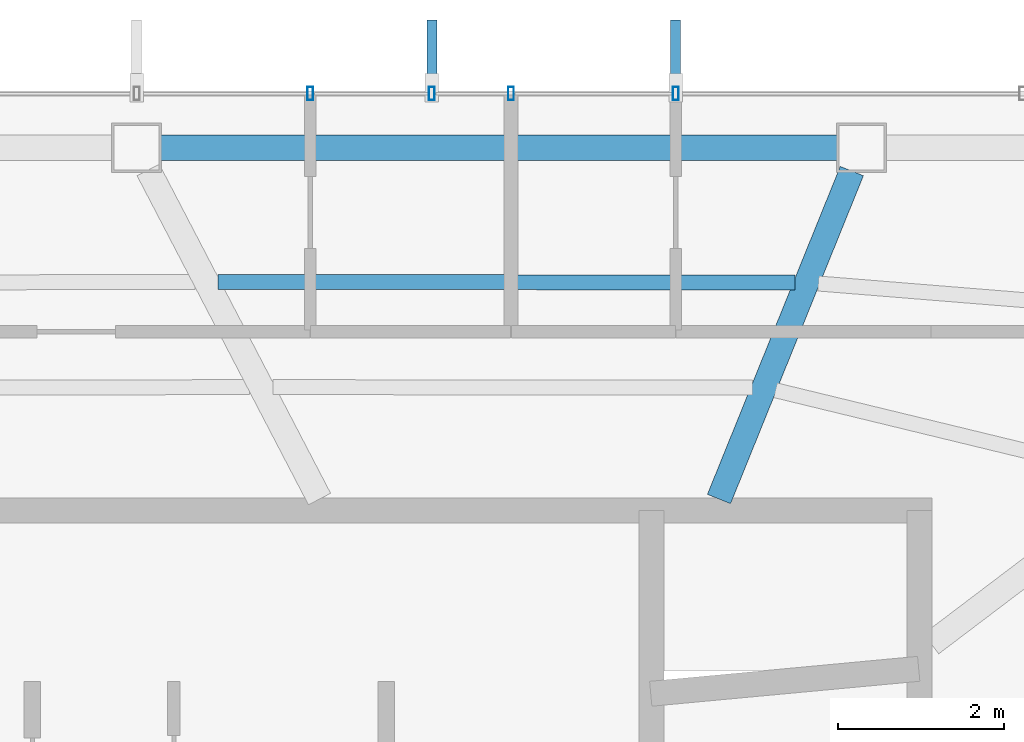
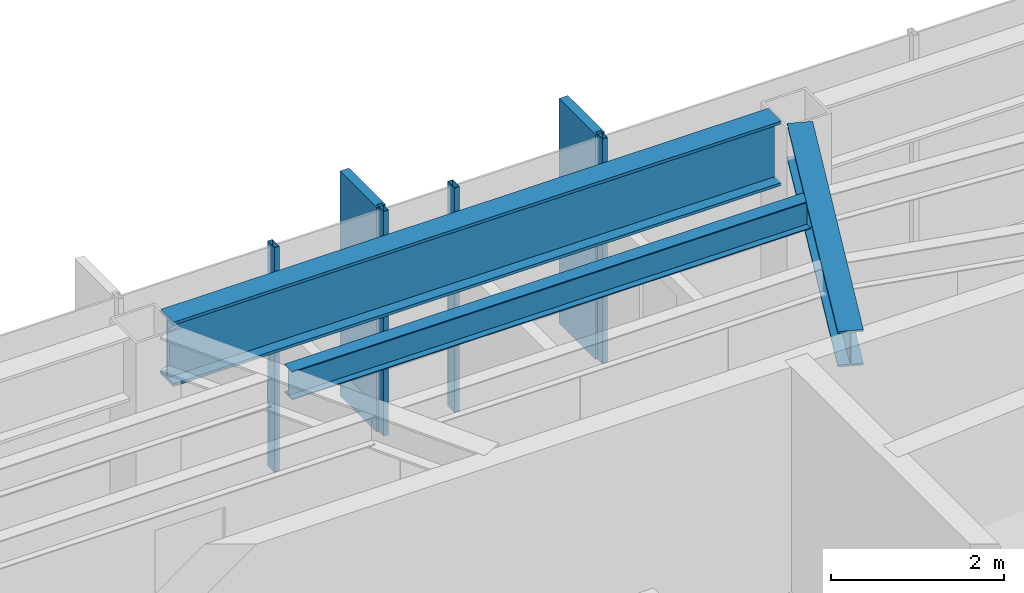
# One storey, part 13 of 25: 6 members, 3 beams, 1 element without a shape of its own.
"""IFC4 building model written with IfcOpenShell, lengths in metres."""

from ifc_helpers import new_model, si_unit, direction, frame, origin, origin_2d, place, context, subcontext, project, spatial, rectangle, hollow_rectangle, i_section, extrude, material, layer, layer_set, material_profile, profile_set, type_object, element, aggregate, save


model = new_model("IFC4")

# Units and contexts
model_context = context("Model", 3, precision=1e-05, world=origin(), true_north=direction((0.0, 1.0)))
body_context = subcontext(model_context, "Body", "Model", "MODEL_VIEW")
ifc_project = project(units=[si_unit("LENGTHUNIT", "METRE"), si_unit("AREAUNIT", "SQUARE_METRE"), si_unit("VOLUMEUNIT", "CUBIC_METRE"), si_unit("PLANEANGLEUNIT", "RADIAN"), si_unit("MASSUNIT", "GRAM", prefix="KILO")], contexts=[model_context])

# Site, building, storey
site_placement = place(None, origin())
site = spatial("IfcSite", under=ifc_project, at=site_placement, CompositionType="ELEMENT")
building_placement = place(site_placement, origin())
building = spatial("IfcBuilding", under=site, at=building_placement, Name="Zarrinselat Tower", CompositionType="ELEMENT")
storey_placement = place(building_placement, frame((0.0, 0.0, 212.159912109375)))
storey = spatial("IfcBuildingStorey", under=building, at=storey_placement, Name="L52", CompositionType="ELEMENT", Elevation=212.159912109375)

# Beams
ifc_material_1 = material(Name="Steel S355J2", Category="steel")
ifc_material_profile_1 = material_profile(ifc_material_1, i_section(OverallWidth=0.300048828125, OverallDepth=0.5, WebThickness=0.014404296875, FlangeThickness=0.028076171875, at=origin_2d()), Name="HEB 500")
ifc_profile_set_1 = profile_set([ifc_material_profile_1], Name="Steel S355J2")
beam_type_1 = type_object("IfcBeamType", Name="BM-HEB500", PredefinedType="BEAM", material=ifc_profile_set_1)
beam_1_placement = place(storey_placement, frame((45.800048828125, 43.5400390625, 2.93017578125), z_axis=(0.375485204643, 0.926828388157, 0.0), x_axis=(-0.926828388157, 0.375485204643, 0.0)))
element("IfcBeam", 1, at=beam_1_placement, inside=storey, type_object=beam_type_1, Name="L52 Radial Primary Girder RG02", PredefinedType="BEAM", context=body_context, shape_type="SweptSolid", body=[
    extrude(i_section(OverallWidth=0.300048828125, OverallDepth=0.5, WebThickness=0.014404296875, FlangeThickness=0.028076171875, at=origin_2d()), origin(), (0.0, 0.0, 1.0), 4.252197265625),
])
ifc_material_2 = material(Name="Steel S460M", Category="steel")
ifc_material_profile_2 = material_profile(ifc_material_2, i_section(OverallWidth=0.302001953125, OverallDepth=0.909912109375, WebThickness=0.02099609375, FlangeThickness=0.0400390625, at=origin_2d()), Name="HEM 900")
ifc_profile_set_2 = profile_set([ifc_material_profile_2], Name="Steel S460M")
beam_type_2 = type_object("IfcBeamType", Name="BM-HEM900", PredefinedType="BEAM", material=ifc_profile_set_2)
beam_2_placement = place(storey_placement, frame((39.090087890625, 47.760986328125, 2.72509765625), z_axis=(1.0, 0.0, 0.0), x_axis=(0.0, 1.0, 0.0)))
element("IfcBeam", 2, at=beam_2_placement, inside=storey, type_object=beam_type_2, Name="L52 Perimeter Spandrel Girder SP02", PredefinedType="BEAM", context=body_context, shape_type="SweptSolid", body=[
    extrude(i_section(OverallWidth=0.302001953125, OverallDepth=0.909912109375, WebThickness=0.02099609375, FlangeThickness=0.0400390625, at=origin_2d()), origin(), (0.0, 0.0, 1.0), 8.132080078125),
])
ifc_material_3 = material(Name="Steel S355J2", Category="steel")
ifc_material_profile_3 = material_profile(ifc_material_3, i_section(OverallWidth=0.179931640625, OverallDepth=0.39990234375, WebThickness=0.008544921875, FlangeThickness=0.013427734375, at=origin_2d()), Name="IPE 400")
ifc_profile_set_3 = profile_set([ifc_material_profile_3], Name="Steel S355J2")
beam_type_3 = type_object("IfcBeamType", Name="BM-IPE400", PredefinedType="JOIST", material=ifc_profile_set_3)
beam_3_placement = place(storey_placement, frame((39.781494140625, 46.14892578125, 2.97998046875), z_axis=(0.999999404051, -0.001091740853, 0.0), x_axis=(0.001091740853, 0.999999404051, 0.0)))
element("IfcBeam", 3, at=beam_3_placement, inside=storey, type_object=beam_type_3, Name="L52 Composite Floor Joist 7-1", PredefinedType="JOIST", context=body_context, shape_type="SweptSolid", body=[
    extrude(i_section(OverallWidth=0.179931640625, OverallDepth=0.39990234375, WebThickness=0.008544921875, FlangeThickness=0.013427734375, at=origin_2d()), origin(), (0.0, 0.0, 1.0), 6.932373046875),
])

# Curtain wall, members
ifc_material_4 = material(Name="Extruded Aluminium Alloy EN AW-6063 T6", Category="aluminium")
ifc_layer = layer(ifc_material_4, 0.169921875)
ifc_layer_set = layer_set([ifc_layer], Name="Extruded Aluminium Alloy EN AW-6063 T6")
curtain_wall_type = type_object("IfcCurtainWallType", Name="CWS-RES", PredefinedType="NOTDEFINED", material=ifc_layer_set)
curtain_wall_placement = place(storey_placement, origin())
curtain_wall = element("IfcCurtainWall", 4, at=curtain_wall_placement, inside=storey, type_object=curtain_wall_type, Name="L52 Unitised Curtain Wall CW-L52-E01", PredefinedType="NOTDEFINED")
ifc_material_5 = material(Name="Extruded Aluminium Alloy EN AW-6063 T6", Category="aluminium")
ifc_material_profile_4 = material_profile(ifc_material_5, hollow_rectangle(XDim=0.070068359375, YDim=0.159912109375, WallThickness=0.00390625, at=origin_2d()), Name="RHS 160x70x4")
ifc_profile_set_4 = profile_set([ifc_material_profile_4], Name="Extruded Aluminium Alloy EN AW-6063 T6")
member_type_1 = type_object("IfcMemberType", Name="MEM-CW-MUL2", PredefinedType="MULLION", material=ifc_profile_set_4)
member_1_placement = place(storey_placement, frame((45.280029296875, 48.4111328125, 0.0), z_axis=(0.0, 0.0, 1.0), x_axis=(-1.0, 0.0, 0.0)))
member_1 = element("IfcMember", 5, at=member_1_placement, type_object=member_type_1, Name="CW-L52-E01 Mullion 3", PredefinedType="MULLION", context=body_context, shape_type="SweptSolid", body=[
    extrude(hollow_rectangle(XDim=0.070068359375, YDim=0.159912109375, WallThickness=0.00390625, at=origin_2d()), origin(), (0.0, 0.0, 1.0), 3.18017578125),
])
member_2_placement = place(storey_placement, frame((43.300048828125, 48.4111328125, 0.0), z_axis=(0.0, 0.0, 1.0), x_axis=(-1.0, 0.0, 0.0)))
member_2 = element("IfcMember", 6, at=member_2_placement, type_object=member_type_1, Name="CW-L52-E01 Mullion 4", PredefinedType="MULLION", context=body_context, shape_type="SweptSolid", body=[
    extrude(hollow_rectangle(XDim=0.070068359375, YDim=0.159912109375, WallThickness=0.00390625, at=origin_2d()), origin(), (0.0, 0.0, 1.0), 3.18017578125),
])
member_3_placement = place(storey_placement, frame((42.349853515625, 48.4111328125, 0.0), z_axis=(0.0, 0.0, 1.0), x_axis=(-1.0, 0.0, 0.0)))
member_3 = element("IfcMember", 7, at=member_3_placement, type_object=member_type_1, Name="CW-L52-E01 Mullion 5", PredefinedType="MULLION", context=body_context, shape_type="SweptSolid", body=[
    extrude(hollow_rectangle(XDim=0.070068359375, YDim=0.159912109375, WallThickness=0.00390625, at=origin_2d()), origin(), (0.0, 0.0, 1.0), 3.18017578125),
])
member_4_placement = place(storey_placement, frame((40.88916015625, 48.4111328125, 0.0), z_axis=(0.0, 0.0, 1.0), x_axis=(-1.0, 0.0, 0.0)))
member_4 = element("IfcMember", 8, at=member_4_placement, type_object=member_type_1, Name="CW-L52-E01 Mullion 6", PredefinedType="MULLION", context=body_context, shape_type="SweptSolid", body=[
    extrude(hollow_rectangle(XDim=0.070068359375, YDim=0.159912109375, WallThickness=0.00390625, at=origin_2d()), origin(), (0.0, 0.0, 1.0), 3.18017578125),
])
ifc_material_6 = material(Name="Honed Cream Travertine Stone", Category="masonry")
ifc_material_profile_5 = material_profile(ifc_material_6, rectangle(XDim=0.1201171875, YDim=0.85009765625, at=origin_2d()), Name="FIN 850x120")
ifc_profile_set_5 = profile_set([ifc_material_profile_5], Name="Honed Cream Travertine Stone")
member_type_2 = type_object("IfcMemberType", Name="MEM-STONE-FIN", PredefinedType="USERDEFINED", material=ifc_profile_set_5)
member_5_placement = place(storey_placement, frame((45.280029296875, 48.87109375, 0.0), z_axis=(0.0, 0.0, 1.0), x_axis=(1.0, 0.0, 0.0)))
member_5 = element("IfcMember", 9, at=member_5_placement, type_object=member_type_2, Name="L52 Stone Shading Fin CW-L52-E01-03", ObjectType="FIN", PredefinedType="USERDEFINED", context=body_context, shape_type="SweptSolid", body=[
    extrude(rectangle(XDim=0.1201171875, YDim=0.85009765625, at=origin_2d()), origin(), (0.0, 0.0, 1.0), 3.18017578125),
])
member_6_placement = place(storey_placement, frame((42.349853515625, 48.87109375, 0.0), z_axis=(0.0, 0.0, 1.0), x_axis=(1.0, 0.0, 0.0)))
member_6 = element("IfcMember", 10, at=member_6_placement, type_object=member_type_2, Name="L52 Stone Shading Fin CW-L52-E01-05", ObjectType="FIN", PredefinedType="USERDEFINED", context=body_context, shape_type="SweptSolid", body=[
    extrude(rectangle(XDim=0.1201171875, YDim=0.85009765625, at=origin_2d()), origin(), (0.0, 0.0, 1.0), 3.18017578125),
])
aggregate(curtain_wall, [member_1, member_5, member_2, member_3, member_6, member_4])

save(model, "model.ifc")
